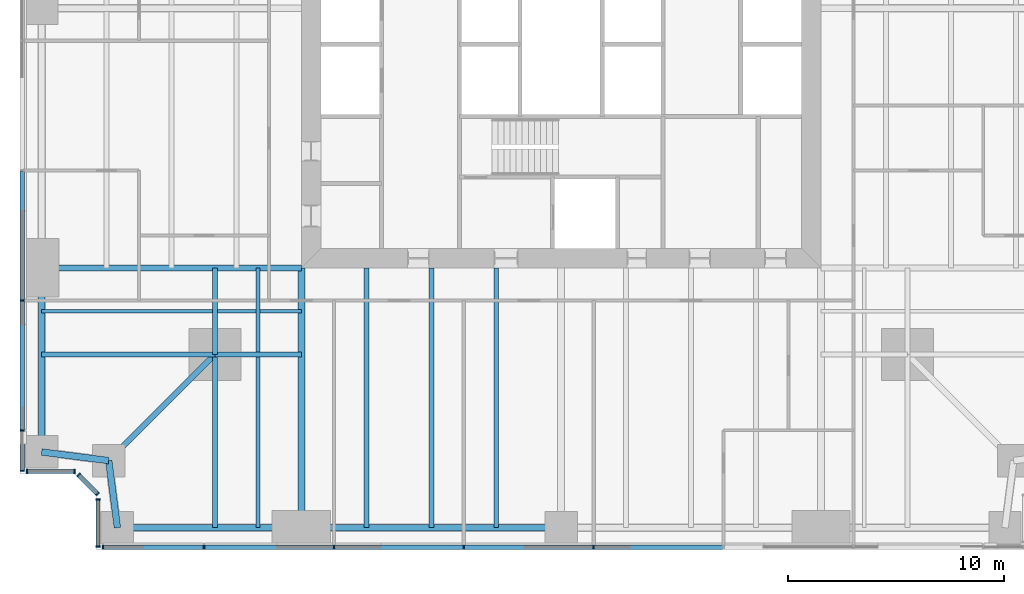
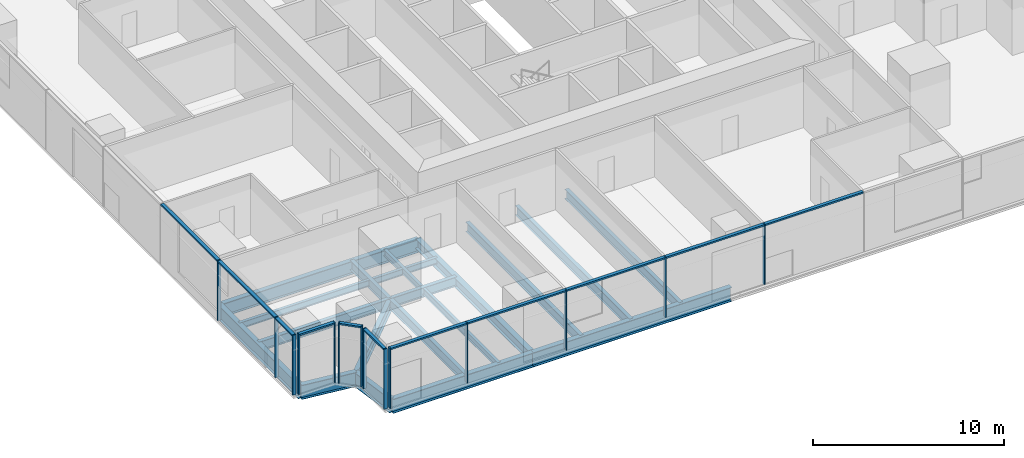
# One storey, part 2 of 14: 25 members, 20 beams, 5 elements without a shape of their own.
"""IFC4 building model written with IfcOpenShell, lengths in metres."""

from ifc_helpers import new_model, si_unit, direction, frame, origin, origin_2d, place, context, subcontext, project, spatial, rectangle, i_section, extrude, material, material_profile, profile_set, type_object, element, aggregate, save


model = new_model("IFC4")

# Units and contexts
model_context = context("Model", 3, precision=1e-05, world=origin(), true_north=direction((0.0, 1.0)))
body_context = subcontext(model_context, "Body", "Model", "MODEL_VIEW")
ifc_project = project(units=[si_unit("LENGTHUNIT", "METRE"), si_unit("AREAUNIT", "SQUARE_METRE"), si_unit("VOLUMEUNIT", "CUBIC_METRE"), si_unit("PLANEANGLEUNIT", "RADIAN"), si_unit("MASSUNIT", "GRAM", prefix="KILO")], contexts=[model_context])

# Site, building, storey
site_placement = place(None, origin())
site = spatial("IfcSite", under=ifc_project, at=site_placement, CompositionType="ELEMENT")
building_placement = place(site_placement, origin())
building = spatial("IfcBuilding", under=site, at=building_placement, Name="Fenwick Lantern Interchange", CompositionType="ELEMENT")
storey_placement = place(building_placement, frame((0.0, 0.0, 59.0)))
storey = spatial("IfcBuildingStorey", under=building, at=storey_placement, Name="L13", CompositionType="ELEMENT", Elevation=59.0)

# Beams
ifc_material_1 = material(Name="Steel ASTM A992 Grade 50", Category="steel")
ifc_material_profile_1 = material_profile(ifc_material_1, i_section(OverallWidth=0.3046875, OverallDepth=0.911865234375, WebThickness=0.015869140625, FlangeThickness=0.02392578125, at=origin_2d()), Name="W36X150")
ifc_profile_set_1 = profile_set([ifc_material_profile_1], Name="Steel ASTM A992 Grade 50")
beam_type_1 = type_object("IfcBeamType", Name="EDGE BEAM W36X150", PredefinedType="SPANDREL", material=ifc_profile_set_1)
beam_1_placement = place(storey_placement, frame((4.5, 1.0, -0.60595703125), z_axis=(1.0, 0.0, 0.0), x_axis=(0.0, 1.0, 0.0)))
element("IfcBeam", 1, at=beam_1_placement, inside=storey, type_object=beam_type_1, Name="L13/FR/S/EB1", PredefinedType="SPANDREL", context=body_context, shape_type="SweptSolid", body=[
    extrude(i_section(OverallWidth=0.3046875, OverallDepth=0.911865234375, WebThickness=0.015869140625, FlangeThickness=0.02392578125, at=origin_2d()), origin(), (0.0, 0.0, 1.0), 8.5),
])
beam_2_placement = place(storey_placement, frame((13.0, 1.0, -0.60595703125), z_axis=(1.0, 0.0, 0.0), x_axis=(0.0, 1.0, 0.0)))
element("IfcBeam", 2, at=beam_2_placement, inside=storey, type_object=beam_type_1, Name="L13/FR/S/EB2", PredefinedType="SPANDREL", context=body_context, shape_type="SweptSolid", body=[
    extrude(i_section(OverallWidth=0.3046875, OverallDepth=0.911865234375, WebThickness=0.015869140625, FlangeThickness=0.02392578125, at=origin_2d()), origin(), (0.0, 0.0, 1.0), 12.0),
])
beam_3_placement = place(storey_placement, frame((1.0, 13.0, -0.60595703125), z_axis=(0.0, -1.0, 0.0), x_axis=(1.0, 0.0, 0.0)))
element("IfcBeam", 3, at=beam_3_placement, inside=storey, type_object=beam_type_1, Name="L13/FR/W/EB4", PredefinedType="SPANDREL", context=body_context, shape_type="SweptSolid", body=[
    extrude(i_section(OverallWidth=0.3046875, OverallDepth=0.911865234375, WebThickness=0.015869140625, FlangeThickness=0.02392578125, at=origin_2d()), origin(), (0.0, 0.0, 1.0), 8.5),
])
for number, where, z_axis, x_axis, name in (
    (4, (1.0, 4.5, -0.60595703125), (0.991782342897, -0.127936641807, 0.0), (0.127936641807, 0.991782342897, 0.0), "L13/FR/W/EBR1"),
    (5, (4.10009765625, 4.10009765625, -0.60595703125), (0.127936641807, -0.991782342897, 0.0), (0.991782342897, 0.127936641807, 0.0), "L13/FR/W/EBR2"),
):
    element("IfcBeam", number, at=place(storey_placement, frame(where, z_axis=z_axis, x_axis=x_axis)), inside=storey, type_object=beam_type_1, Name=name, PredefinedType="SPANDREL", context=body_context, shape_type="SweptSolid", body=[
        extrude(i_section(OverallWidth=0.3046875, OverallDepth=0.911865234375, WebThickness=0.015869140625, FlangeThickness=0.02392578125, at=origin_2d()), origin(), (0.0, 0.0, 1.0), 3.125732421875),
    ])
ifc_material_profile_2 = material_profile(ifc_material_1, i_section(OverallWidth=0.22900390625, OverallDepth=0.612060546875, WebThickness=0.011962890625, FlangeThickness=0.01953125, at=origin_2d()), Name="W24X84")
ifc_profile_set_2 = profile_set([ifc_material_profile_2], Name="Steel ASTM A992 Grade 50")
beam_type_2 = type_object("IfcBeamType", Name="FLOOR BEAM W24X84", PredefinedType="BEAM", material=ifc_profile_set_2)
for number, where, z_axis, x_axis, name in (
    (6, (16.0, 1.0, -0.4560546875), (0.0, 1.0, 0.0), (-1.0, 0.0, 0.0), "L13/FR/S/R02"),
    (7, (19.0, 1.0, -0.4560546875), (0.0, 1.0, 0.0), (-1.0, 0.0, 0.0), "L13/FR/S/R03"),
    (8, (22.0, 1.0, -0.4560546875), (0.0, 1.0, 0.0), (-1.0, 0.0, 0.0), "L13/FR/S/R04"),
):
    element("IfcBeam", number, at=place(storey_placement, frame(where, z_axis=z_axis, x_axis=x_axis)), inside=storey, type_object=beam_type_2, Name=name, PredefinedType="BEAM", context=body_context, shape_type="SweptSolid", body=[
        extrude(i_section(OverallWidth=0.22900390625, OverallDepth=0.612060546875, WebThickness=0.011962890625, FlangeThickness=0.01953125, at=origin_2d()), origin(), (0.0, 0.0, 1.0), 12.0),
    ])
ifc_material_profile_3 = material_profile(ifc_material_1, i_section(OverallWidth=0.177734375, OverallDepth=0.406494140625, WebThickness=0.0078125, FlangeThickness=0.012939453125, at=origin_2d()), Name="W16X40")
ifc_profile_set_3 = profile_set([ifc_material_profile_3], Name="Steel ASTM A992 Grade 50")
beam_type_3 = type_object("IfcBeamType", Name="INFILL BEAM W16X40", PredefinedType="JOIST", material=ifc_profile_set_3)
beam_4_placement = place(storey_placement, frame((11.0, 1.0, -0.353271484375), z_axis=(0.0, 1.0, 0.0), x_axis=(-1.0, 0.0, 0.0)))
element("IfcBeam", 9, at=beam_4_placement, inside=storey, type_object=beam_type_3, Name="L13/FR/S/J1", PredefinedType="JOIST", context=body_context, shape_type="SweptSolid", body=[
    extrude(i_section(OverallWidth=0.177734375, OverallDepth=0.406494140625, WebThickness=0.0078125, FlangeThickness=0.012939453125, at=origin_2d()), origin(), (0.0, 0.0, 1.0), 7.885498046875),
])
beam_5_placement = place(storey_placement, frame((11.0, 9.114501953125, -0.353271484375), z_axis=(0.0, 1.0, 0.0), x_axis=(-1.0, 0.0, 0.0)))
element("IfcBeam", 10, at=beam_5_placement, inside=storey, type_object=beam_type_3, Name="L13/FR/S/J2", PredefinedType="JOIST", context=body_context, shape_type="SweptSolid", body=[
    extrude(i_section(OverallWidth=0.177734375, OverallDepth=0.406494140625, WebThickness=0.0078125, FlangeThickness=0.012939453125, at=origin_2d()), origin(), (0.0, 0.0, 1.0), 3.885498046875),
])
beam_6_placement = place(storey_placement, frame((1.0, 11.0, -0.353271484375), z_axis=(1.0, 0.0, 0.0), x_axis=(0.0, 1.0, 0.0)))
element("IfcBeam", 11, at=beam_6_placement, inside=storey, type_object=beam_type_3, Name="L13/FR/S/J3", PredefinedType="JOIST", context=body_context, shape_type="SweptSolid", body=[
    extrude(i_section(OverallWidth=0.177734375, OverallDepth=0.406494140625, WebThickness=0.0078125, FlangeThickness=0.012939453125, at=origin_2d()), origin(), (0.0, 0.0, 1.0), 7.885498046875),
])
beam_7_placement = place(storey_placement, frame((9.114501953125, 11.0, -0.353271484375), z_axis=(1.0, 0.0, 0.0), x_axis=(0.0, 1.0, 0.0)))
element("IfcBeam", 12, at=beam_7_placement, inside=storey, type_object=beam_type_3, Name="L13/FR/S/J4", PredefinedType="JOIST", context=body_context, shape_type="SweptSolid", body=[
    extrude(i_section(OverallWidth=0.177734375, OverallDepth=0.406494140625, WebThickness=0.0078125, FlangeThickness=0.012939453125, at=origin_2d()), origin(), (0.0, 0.0, 1.0), 1.796630859375),
])
beam_8_placement = place(storey_placement, frame((11.0888671875, 11.0, -0.353271484375), z_axis=(1.0, 0.0, 0.0), x_axis=(0.0, 1.0, 0.0)))
element("IfcBeam", 13, at=beam_8_placement, inside=storey, type_object=beam_type_3, Name="L13/FR/S/J5", PredefinedType="JOIST", context=body_context, shape_type="SweptSolid", body=[
    extrude(i_section(OverallWidth=0.177734375, OverallDepth=0.406494140625, WebThickness=0.0078125, FlangeThickness=0.012939453125, at=origin_2d()), origin(), (0.0, 0.0, 1.0), 1.9111328125),
])
ifc_material_profile_4 = material_profile(ifc_material_1, i_section(OverallWidth=0.22900390625, OverallDepth=0.612060546875, WebThickness=0.011962890625, FlangeThickness=0.01953125, at=origin_2d()), Name="W24X84")
ifc_profile_set_4 = profile_set([ifc_material_profile_4], Name="Steel ASTM A992 Grade 50")
beam_type_4 = type_object("IfcBeamType", Name="MEGA COLUMN BEAM W24X84", PredefinedType="BEAM", material=ifc_profile_set_4)
for number, where, z_axis, x_axis, name in (
    (14, (9.0, 9.0, -0.4560546875), (0.0, -1.0, 0.0), (1.0, 0.0, 0.0), "L13/FR/S/MB1"),
    (15, (9.0, 9.0, -0.4560546875), (-1.0, 0.0, 0.0), (0.0, -1.0, 0.0), "L13/FR/S/MB2"),
):
    element("IfcBeam", number, at=place(storey_placement, frame(where, z_axis=z_axis, x_axis=x_axis)), inside=storey, type_object=beam_type_4, Name=name, PredefinedType="BEAM", context=body_context, shape_type="SweptSolid", body=[
        extrude(i_section(OverallWidth=0.22900390625, OverallDepth=0.612060546875, WebThickness=0.011962890625, FlangeThickness=0.01953125, at=origin_2d()), origin(), (0.0, 0.0, 1.0), 8.0),
    ])
for number, where, z_axis, x_axis, name in (
    (16, (9.0, 9.0, -0.4560546875), (1.0, 0.0, 0.0), (0.0, 1.0, 0.0), "L13/FR/S/MB3"),
    (17, (9.0, 9.0, -0.4560546875), (0.0, 1.0, 0.0), (-1.0, 0.0, 0.0), "L13/FR/S/MB4"),
):
    element("IfcBeam", number, at=place(storey_placement, frame(where, z_axis=z_axis, x_axis=x_axis)), inside=storey, type_object=beam_type_4, Name=name, PredefinedType="BEAM", context=body_context, shape_type="SweptSolid", body=[
        extrude(i_section(OverallWidth=0.22900390625, OverallDepth=0.612060546875, WebThickness=0.011962890625, FlangeThickness=0.01953125, at=origin_2d()), origin(), (0.0, 0.0, 1.0), 4.0),
    ])
ifc_material_profile_5 = material_profile(ifc_material_1, i_section(OverallWidth=0.32763671875, OverallDepth=0.622314453125, WebThickness=0.015380859375, FlangeThickness=0.0244140625, at=origin_2d()), Name="W24X131")
ifc_profile_set_5 = profile_set([ifc_material_profile_5], Name="Steel ASTM A992 Grade 50")
beam_type_5 = type_object("IfcBeamType", Name="MOMENT-CONNECTED GIRDER W24X131", PredefinedType="BEAM", material=ifc_profile_set_5)
beam_9_placement = place(storey_placement, frame((13.0, 1.0, -0.461181640625), z_axis=(0.0, 1.0, 0.0), x_axis=(-1.0, 0.0, 0.0)))
element("IfcBeam", 18, at=beam_9_placement, inside=storey, type_object=beam_type_5, Name="L13/FR/S/R01", PredefinedType="BEAM", context=body_context, shape_type="SweptSolid", body=[
    extrude(i_section(OverallWidth=0.32763671875, OverallDepth=0.622314453125, WebThickness=0.015380859375, FlangeThickness=0.0244140625, at=origin_2d()), origin(), (0.0, 0.0, 1.0), 12.0),
])
ifc_material_profile_6 = material_profile(ifc_material_1, i_section(OverallWidth=0.2919921875, OverallDepth=0.845703125, WebThickness=0.015380859375, FlangeThickness=0.0244140625, at=origin_2d()), Name="W33X141")
ifc_profile_set_6 = profile_set([ifc_material_profile_6], Name="Steel ASTM A992 Grade 50")
beam_type_6 = type_object("IfcBeamType", Name="MOMENT-CONNECTED GIRDER W33X141", PredefinedType="BEAM", material=ifc_profile_set_6)
beam_10_placement = place(storey_placement, frame((1.0, 13.0, -0.572998046875), z_axis=(1.0, 0.0, 0.0), x_axis=(0.0, 1.0, 0.0)))
element("IfcBeam", 19, at=beam_10_placement, inside=storey, type_object=beam_type_6, Name="L13/FR/W/R03", PredefinedType="BEAM", context=body_context, shape_type="SweptSolid", body=[
    extrude(i_section(OverallWidth=0.2919921875, OverallDepth=0.845703125, WebThickness=0.015380859375, FlangeThickness=0.0244140625, at=origin_2d()), origin(), (0.0, 0.0, 1.0), 12.0),
])
ifc_material_profile_7 = material_profile(ifc_material_1, i_section(OverallWidth=0.2666015625, OverallDepth=0.7568359375, WebThickness=0.013916015625, FlangeThickness=0.019287109375, at=origin_2d()), Name="W30X108")
ifc_profile_set_7 = profile_set([ifc_material_profile_7], Name="Steel ASTM A992 Grade 50")
beam_type_7 = type_object("IfcBeamType", Name="NOTCH BEAM W30X108", PredefinedType="BEAM", material=ifc_profile_set_7)
beam_11_placement = place(storey_placement, frame((9.0, 9.0, -0.528564453125), z_axis=(-0.707106781187, -0.707106781187, 0.0), x_axis=(0.707106781187, -0.707106781187, 0.0)))
element("IfcBeam", 20, at=beam_11_placement, inside=storey, type_object=beam_type_7, Name="L13/FR/S/TG", PredefinedType="BEAM", context=body_context, shape_type="SweptSolid", body=[
    extrude(i_section(OverallWidth=0.2666015625, OverallDepth=0.7568359375, WebThickness=0.013916015625, FlangeThickness=0.019287109375, at=origin_2d()), origin(), (0.0, 0.0, 1.0), 6.929443359375),
])

# Curtain wall, members
ifc_material_2 = material(Name="Aluminium curtain wall frame", Category="aluminium")
curtain_wall_type = type_object("IfcCurtainWallType", Name="OFFICE CURTAIN WALL", PredefinedType="USERDEFINED", material=ifc_material_2)
curtain_wall_1_placement = place(storey_placement, origin())
curtain_wall_1 = element("IfcCurtainWall", 21, at=curtain_wall_1_placement, inside=storey, type_object=curtain_wall_type, Name="Office curtain wall 01", ObjectType="OFFICE CURTAIN WALL", PredefinedType="USERDEFINED")
ifc_material_3 = material(Name="Aluminium extrusion", Category="aluminium")
ifc_material_profile_8 = material_profile(ifc_material_3, rectangle(XDim=0.199951171875, YDim=0.06494140625, at=origin_2d()), Name="OFFICE CURTAIN WALL MULLION 65 X 200")
ifc_profile_set_8 = profile_set([ifc_material_profile_8], Name="Aluminium extrusion")
member_type_1 = type_object("IfcMemberType", Name="OFFICE CURTAIN WALL MULLION 65 X 200", PredefinedType="MULLION", material=ifc_profile_set_8)
member_1_placement = place(storey_placement, frame((3.83251953125, 0.10009765625, 0.0), z_axis=(0.0, 0.0, 1.0), x_axis=(0.0, 1.0, 0.0)))
member_1 = element("IfcMember", 22, at=member_1_placement, type_object=member_type_1, Name="L13/CW/01/M00", PredefinedType="MULLION", context=body_context, shape_type="SweptSolid", body=[
    extrude(rectangle(XDim=0.199951171875, YDim=0.06494140625, at=origin_2d()), origin(), (0.0, 0.0, 1.0), 3.85009765625),
])
member_2_placement = place(storey_placement, frame((8.5, 0.10009765625, 0.0), z_axis=(0.0, 0.0, 1.0), x_axis=(0.0, 1.0, 0.0)))
member_2 = element("IfcMember", 23, at=member_2_placement, type_object=member_type_1, Name="L13/CW/01/M01", PredefinedType="MULLION", context=body_context, shape_type="SweptSolid", body=[
    extrude(rectangle(XDim=0.199951171875, YDim=0.06494140625, at=origin_2d()), origin(), (0.0, 0.0, 1.0), 3.85009765625),
])
member_3_placement = place(storey_placement, frame((14.5, 0.10009765625, 0.0), z_axis=(0.0, 0.0, 1.0), x_axis=(0.0, 1.0, 0.0)))
member_3 = element("IfcMember", 24, at=member_3_placement, type_object=member_type_1, Name="L13/CW/01/M02", PredefinedType="MULLION", context=body_context, shape_type="SweptSolid", body=[
    extrude(rectangle(XDim=0.199951171875, YDim=0.06494140625, at=origin_2d()), origin(), (0.0, 0.0, 1.0), 3.85009765625),
])
member_4_placement = place(storey_placement, frame((20.5, 0.10009765625, 0.0), z_axis=(0.0, 0.0, 1.0), x_axis=(0.0, 1.0, 0.0)))
member_4 = element("IfcMember", 25, at=member_4_placement, type_object=member_type_1, Name="L13/CW/01/M03", PredefinedType="MULLION", context=body_context, shape_type="SweptSolid", body=[
    extrude(rectangle(XDim=0.199951171875, YDim=0.06494140625, at=origin_2d()), origin(), (0.0, 0.0, 1.0), 3.85009765625),
])
member_5_placement = place(storey_placement, frame((26.5, 0.10009765625, 0.0), z_axis=(0.0, 0.0, 1.0), x_axis=(0.0, 1.0, 0.0)))
member_5 = element("IfcMember", 26, at=member_5_placement, type_object=member_type_1, Name="L13/CW/01/M04", PredefinedType="MULLION", context=body_context, shape_type="SweptSolid", body=[
    extrude(rectangle(XDim=0.199951171875, YDim=0.06494140625, at=origin_2d()), origin(), (0.0, 0.0, 1.0), 3.85009765625),
])

curtain_wall_2_placement = place(storey_placement, origin())
curtain_wall_2 = element("IfcCurtainWall", 27, at=curtain_wall_2_placement, inside=storey, type_object=curtain_wall_type, Name="Office curtain wall 13", ObjectType="OFFICE CURTAIN WALL", PredefinedType="USERDEFINED")
member_6_placement = place(storey_placement, frame((0.10009765625, 11.5, 0.0), z_axis=(0.0, 0.0, 1.0), x_axis=(1.0, 0.0, 0.0)))
member_6 = element("IfcMember", 28, at=member_6_placement, type_object=member_type_1, Name="L13/CW/13/M06", PredefinedType="MULLION", context=body_context, shape_type="SweptSolid", body=[
    extrude(rectangle(XDim=0.199951171875, YDim=0.06494140625, at=origin_2d()), origin(), (0.0, 0.0, 1.0), 3.85009765625),
])
member_7_placement = place(storey_placement, frame((0.10009765625, 5.5, 0.0), z_axis=(0.0, 0.0, 1.0), x_axis=(1.0, 0.0, 0.0)))
member_7 = element("IfcMember", 29, at=member_7_placement, type_object=member_type_1, Name="L13/CW/13/M07", PredefinedType="MULLION", context=body_context, shape_type="SweptSolid", body=[
    extrude(rectangle(XDim=0.199951171875, YDim=0.06494140625, at=origin_2d()), origin(), (0.0, 0.0, 1.0), 3.85009765625),
])
member_8_placement = place(storey_placement, frame((0.10009765625, 3.632568359375, 0.0), z_axis=(0.0, 0.0, 1.0), x_axis=(1.0, 0.0, 0.0)))
member_8 = element("IfcMember", 30, at=member_8_placement, type_object=member_type_1, Name="L13/CW/13/M08", PredefinedType="MULLION", context=body_context, shape_type="SweptSolid", body=[
    extrude(rectangle(XDim=0.199951171875, YDim=0.06494140625, at=origin_2d()), origin(), (0.0, 0.0, 1.0), 3.85009765625),
])

curtain_wall_3_placement = place(storey_placement, origin())
curtain_wall_3 = element("IfcCurtainWall", 31, at=curtain_wall_3_placement, inside=storey, type_object=curtain_wall_type, Name="Office curtain wall 14", ObjectType="OFFICE CURTAIN WALL", PredefinedType="USERDEFINED")
member_9_placement = place(storey_placement, frame((0.33251953125, 3.60009765625, 0.0), z_axis=(0.0, 0.0, 1.0), x_axis=(0.0, 1.0, 0.0)))
member_9 = element("IfcMember", 32, at=member_9_placement, type_object=member_type_1, Name="L13/CW/14/M00", PredefinedType="MULLION", context=body_context, shape_type="SweptSolid", body=[
    extrude(rectangle(XDim=0.199951171875, YDim=0.06494140625, at=origin_2d()), origin(), (0.0, 0.0, 1.0), 3.85009765625),
])
member_10_placement = place(storey_placement, frame((2.509033203125, 3.60009765625, 0.0), z_axis=(0.0, 0.0, 1.0), x_axis=(0.0, 1.0, 0.0)))
member_10 = element("IfcMember", 33, at=member_10_placement, type_object=member_type_1, Name="L13/CW/14/M01", PredefinedType="MULLION", context=body_context, shape_type="SweptSolid", body=[
    extrude(rectangle(XDim=0.199951171875, YDim=0.06494140625, at=origin_2d()), origin(), (0.0, 0.0, 1.0), 3.85009765625),
])

curtain_wall_4_placement = place(storey_placement, origin())
curtain_wall_4 = element("IfcCurtainWall", 34, at=curtain_wall_4_placement, inside=storey, type_object=curtain_wall_type, Name="Office curtain wall 15", ObjectType="OFFICE CURTAIN WALL", PredefinedType="USERDEFINED")
member_11_placement = place(storey_placement, frame((2.705810546875, 3.435546875, 0.0), z_axis=(0.0, 0.0, 1.0), x_axis=(0.707106781187, 0.707106781187, 0.0)))
member_11 = element("IfcMember", 35, at=member_11_placement, type_object=member_type_1, Name="L13/CW/15/M00", PredefinedType="MULLION", context=body_context, shape_type="SweptSolid", body=[
    extrude(rectangle(XDim=0.199951171875, YDim=0.06494140625, at=origin_2d()), origin(), (0.0, 0.0, 1.0), 3.85009765625),
])
member_12_placement = place(storey_placement, frame((3.576904296875, 2.564453125, 0.0), z_axis=(0.0, 0.0, 1.0), x_axis=(0.707106781187, 0.707106781187, 0.0)))
member_12 = element("IfcMember", 36, at=member_12_placement, type_object=member_type_1, Name="L13/CW/15/M01", PredefinedType="MULLION", context=body_context, shape_type="SweptSolid", body=[
    extrude(rectangle(XDim=0.199951171875, YDim=0.06494140625, at=origin_2d()), origin(), (0.0, 0.0, 1.0), 3.85009765625),
])

curtain_wall_5_placement = place(storey_placement, origin())
curtain_wall_5 = element("IfcCurtainWall", 37, at=curtain_wall_5_placement, inside=storey, type_object=curtain_wall_type, Name="Office curtain wall 16", ObjectType="OFFICE CURTAIN WALL", PredefinedType="USERDEFINED")
member_13_placement = place(storey_placement, frame((3.60009765625, 2.308837890625, 0.0), z_axis=(0.0, 0.0, 1.0), x_axis=(1.0, 0.0, 0.0)))
member_13 = element("IfcMember", 38, at=member_13_placement, type_object=member_type_1, Name="L13/CW/16/M00", PredefinedType="MULLION", context=body_context, shape_type="SweptSolid", body=[
    extrude(rectangle(XDim=0.199951171875, YDim=0.06494140625, at=origin_2d()), origin(), (0.0, 0.0, 1.0), 3.85009765625),
])
member_14_placement = place(storey_placement, frame((3.60009765625, 0.132568359375, 0.0), z_axis=(0.0, 0.0, 1.0), x_axis=(1.0, 0.0, 0.0)))
member_14 = element("IfcMember", 39, at=member_14_placement, type_object=member_type_1, Name="L13/CW/16/M01", PredefinedType="MULLION", context=body_context, shape_type="SweptSolid", body=[
    extrude(rectangle(XDim=0.199951171875, YDim=0.06494140625, at=origin_2d()), origin(), (0.0, 0.0, 1.0), 3.85009765625),
])

# Member
ifc_material_profile_9 = material_profile(ifc_material_3, rectangle(XDim=0.199951171875, YDim=0.10009765625, at=origin_2d()), Name="OFFICE CURTAIN WALL TRANSOM 100 X 200")
ifc_profile_set_9 = profile_set([ifc_material_profile_9], Name="Aluminium extrusion")
member_type_2 = type_object("IfcMemberType", Name="OFFICE CURTAIN WALL TRANSOM 100 X 200", PredefinedType="MULLION", material=ifc_profile_set_9)
member_15_placement = place(storey_placement, frame((3.864990234375, 0.10009765625, 3.800048828125), z_axis=(1.0, 0.0, 0.0), x_axis=(0.0, 1.0, 0.0)))
member_15 = element("IfcMember", 40, at=member_15_placement, type_object=member_type_2, Name="L13/CW/01/T00", PredefinedType="MULLION", context=body_context, shape_type="SweptSolid", body=[
    extrude(rectangle(XDim=0.199951171875, YDim=0.10009765625, at=origin_2d()), origin(), (0.0, 0.0, 1.0), 4.6025390625),
])

member_16_placement = place(storey_placement, frame((8.532470703125, 0.10009765625, 3.800048828125), z_axis=(1.0, 0.0, 0.0), x_axis=(0.0, 1.0, 0.0)))
member_16 = element("IfcMember", 41, at=member_16_placement, type_object=member_type_2, Name="L13/CW/01/T01", PredefinedType="MULLION", context=body_context, shape_type="SweptSolid", body=[
    extrude(rectangle(XDim=0.199951171875, YDim=0.10009765625, at=origin_2d()), origin(), (0.0, 0.0, 1.0), 5.93505859375),
])

member_17_placement = place(storey_placement, frame((14.532470703125, 0.10009765625, 3.800048828125), z_axis=(1.0, 0.0, 0.0), x_axis=(0.0, 1.0, 0.0)))
member_17 = element("IfcMember", 42, at=member_17_placement, type_object=member_type_2, Name="L13/CW/01/T02", PredefinedType="MULLION", context=body_context, shape_type="SweptSolid", body=[
    extrude(rectangle(XDim=0.199951171875, YDim=0.10009765625, at=origin_2d()), origin(), (0.0, 0.0, 1.0), 5.93505859375),
])

member_18_placement = place(storey_placement, frame((20.532470703125, 0.10009765625, 3.800048828125), z_axis=(1.0, 0.0, 0.0), x_axis=(0.0, 1.0, 0.0)))
member_18 = element("IfcMember", 43, at=member_18_placement, type_object=member_type_2, Name="L13/CW/01/T03", PredefinedType="MULLION", context=body_context, shape_type="SweptSolid", body=[
    extrude(rectangle(XDim=0.199951171875, YDim=0.10009765625, at=origin_2d()), origin(), (0.0, 0.0, 1.0), 5.93505859375),
])

member_19_placement = place(storey_placement, frame((26.532470703125, 0.10009765625, 3.800048828125), z_axis=(1.0, 0.0, 0.0), x_axis=(0.0, 1.0, 0.0)))
member_19 = element("IfcMember", 44, at=member_19_placement, type_object=member_type_2, Name="L13/CW/01/T04", PredefinedType="MULLION", context=body_context, shape_type="SweptSolid", body=[
    extrude(rectangle(XDim=0.199951171875, YDim=0.10009765625, at=origin_2d()), origin(), (0.0, 0.0, 1.0), 5.93505859375),
])

aggregate(curtain_wall_1, [member_1, member_2, member_3, member_4, member_5, member_15, member_16, member_17, member_18, member_19])

member_20_placement = place(storey_placement, frame((0.10009765625, 17.467529296875, 3.800048828125), z_axis=(0.0, -1.0, 0.0), x_axis=(1.0, 0.0, 0.0)))
member_20 = element("IfcMember", 45, at=member_20_placement, type_object=member_type_2, Name="L13/CW/13/T05", PredefinedType="MULLION", context=body_context, shape_type="SweptSolid", body=[
    extrude(rectangle(XDim=0.199951171875, YDim=0.10009765625, at=origin_2d()), origin(), (0.0, 0.0, 1.0), 5.93505859375),
])

member_21_placement = place(storey_placement, frame((0.10009765625, 11.467529296875, 3.800048828125), z_axis=(0.0, -1.0, 0.0), x_axis=(1.0, 0.0, 0.0)))
member_21 = element("IfcMember", 46, at=member_21_placement, type_object=member_type_2, Name="L13/CW/13/T06", PredefinedType="MULLION", context=body_context, shape_type="SweptSolid", body=[
    extrude(rectangle(XDim=0.199951171875, YDim=0.10009765625, at=origin_2d()), origin(), (0.0, 0.0, 1.0), 5.93505859375),
])

member_22_placement = place(storey_placement, frame((0.10009765625, 5.467529296875, 3.800048828125), z_axis=(0.0, -1.0, 0.0), x_axis=(1.0, 0.0, 0.0)))
member_22 = element("IfcMember", 47, at=member_22_placement, type_object=member_type_2, Name="L13/CW/13/T07", PredefinedType="MULLION", context=body_context, shape_type="SweptSolid", body=[
    extrude(rectangle(XDim=0.199951171875, YDim=0.10009765625, at=origin_2d()), origin(), (0.0, 0.0, 1.0), 1.802490234375),
])

aggregate(curtain_wall_2, [member_6, member_7, member_8, member_20, member_21, member_22])

member_23_placement = place(storey_placement, frame((0.364990234375, 3.60009765625, 3.800048828125), z_axis=(1.0, 0.0, 0.0), x_axis=(0.0, 1.0, 0.0)))
member_23 = element("IfcMember", 48, at=member_23_placement, type_object=member_type_2, Name="L13/CW/14/T00", PredefinedType="MULLION", context=body_context, shape_type="SweptSolid", body=[
    extrude(rectangle(XDim=0.199951171875, YDim=0.10009765625, at=origin_2d()), origin(), (0.0, 0.0, 1.0), 2.111328125),
])

aggregate(curtain_wall_3, [member_9, member_10, member_23])

member_24_placement = place(storey_placement, frame((2.728759765625, 3.41259765625, 3.800048828125), z_axis=(0.707106781187, -0.707106781187, 0.0), x_axis=(0.707106781187, 0.707106781187, 0.0)))
member_24 = element("IfcMember", 49, at=member_24_placement, type_object=member_type_2, Name="L13/CW/15/T00", PredefinedType="MULLION", context=body_context, shape_type="SweptSolid", body=[
    extrude(rectangle(XDim=0.199951171875, YDim=0.10009765625, at=origin_2d()), origin(), (0.0, 0.0, 1.0), 1.1669921875),
])

aggregate(curtain_wall_4, [member_11, member_12, member_24])

member_25_placement = place(storey_placement, frame((3.60009765625, 2.2763671875, 3.800048828125), z_axis=(0.0, -1.0, 0.0), x_axis=(1.0, 0.0, 0.0)))
member_25 = element("IfcMember", 50, at=member_25_placement, type_object=member_type_2, Name="L13/CW/16/T00", PredefinedType="MULLION", context=body_context, shape_type="SweptSolid", body=[
    extrude(rectangle(XDim=0.199951171875, YDim=0.10009765625, at=origin_2d()), origin(), (0.0, 0.0, 1.0), 2.111328125),
])

aggregate(curtain_wall_5, [member_13, member_14, member_25])

save(model, "model.ifc")
